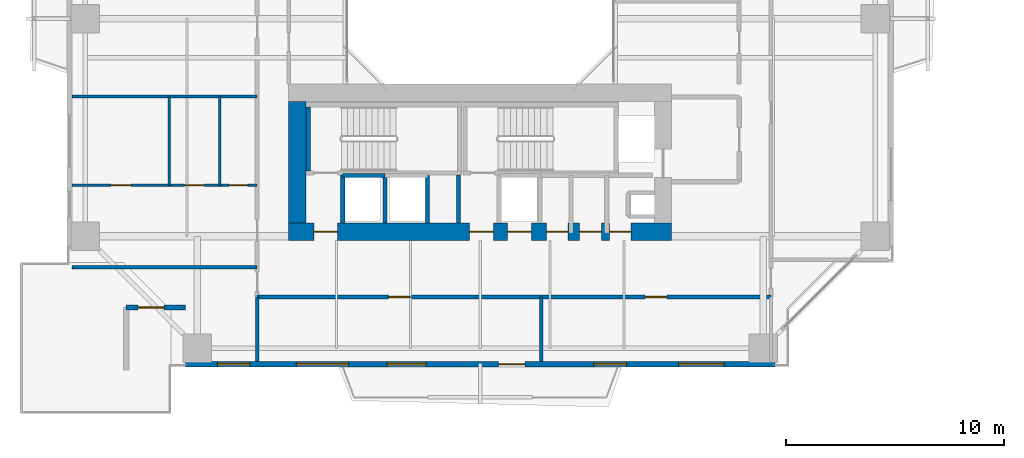
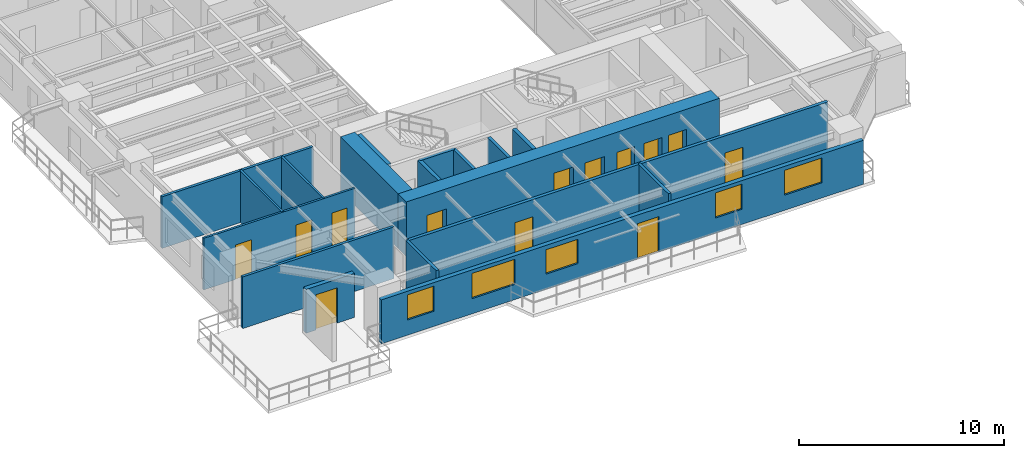
# One storey, part 12 of 24: 18 walls, 13 doors, 5 windows, 18 openings.
"""IFC4 building model written with IfcOpenShell, lengths in metres."""

from ifc_helpers import new_model, si_unit, direction, frame, frame_2d, origin, place, context, subcontext, project, spatial, rectangle, extrude, source, transform, mapped, material, layer, layer_set, type_object, element, fill, save


model = new_model("IFC4")

# Units and contexts
model_context = context("Model", 3, precision=1e-05, world=origin(), true_north=direction((0.0, 1.0)))
body_context = subcontext(model_context, "Body", "Model", "MODEL_VIEW")
ifc_project = project(units=[si_unit("LENGTHUNIT", "METRE"), si_unit("AREAUNIT", "SQUARE_METRE"), si_unit("VOLUMEUNIT", "CUBIC_METRE"), si_unit("PLANEANGLEUNIT", "RADIAN"), si_unit("MASSUNIT", "GRAM", prefix="KILO"), si_unit("THERMODYNAMICTEMPERATUREUNIT", "KELVIN"), si_unit("POWERUNIT", "WATT")], contexts=[model_context])

# Site, building, storey
site_placement = place(None, origin())
site = spatial("IfcSite", under=ifc_project, at=site_placement, CompositionType="ELEMENT")
building_placement = place(site_placement, origin())
building = spatial("IfcBuilding", under=site, at=building_placement, Name="Qiaomeng Ring Towers", CompositionType="ELEMENT")
storey_placement = place(building_placement, frame((0.0, 0.0, 63.25)))
storey = spatial("IfcBuildingStorey", under=building, at=storey_placement, Name="L17", CompositionType="ELEMENT", Elevation=63.25)

# Wall, openings, windows, door
ifc_material_1 = material(Name="Precast concrete C40", Category="concrete")
ifc_layer_1 = layer(ifc_material_1, 0.25, Name="Precast concrete C40")
ifc_layer_set_1 = layer_set([ifc_layer_1], Name="Precast concrete C40")
wall_type_1 = type_object("IfcWallType", Name="ARC-WL-EW1", PredefinedType="STANDARD", material=ifc_layer_set_1)
wall_1_placement = place(storey_placement, frame((5.449951171875, 4.125, 0.0), z_axis=(0.0, 0.0, 1.0), x_axis=(1.0, 0.0, 0.0)))
wall_1 = element("IfcWall", 1, at=wall_1_placement, inside=storey, type_object=wall_type_1, Name="L17 Tower 1 S Exterior Wall", PredefinedType="STANDARD", context=body_context, shape_type="SweptSolid", body=[
    extrude(rectangle(XDim=27.10009765625, YDim=0.25, at=frame_2d((13.550048828125, 0.0))), origin(), (0.0, 0.0, 1.0), 2.610107421875),
])
opening_1_placement = place(wall_1_placement, frame((14.39990234375, 0.0, 0.0)))
opening_1 = element("IfcOpeningElement", 2, at=opening_1_placement, cuts=wall_1, Name="Opening BD1", PredefinedType="OPENING", context=body_context, shape_type="SweptSolid", body=[
    extrude(rectangle(XDim=1.199951171875, YDim=2.10009765625, at=frame_2d((0.60009765625, 1.050048828125))), frame((0.0, 0.135009765625, 0.0), z_axis=(0.0, -1.0, 0.0), x_axis=(1.0, 0.0, 0.0)), (0.0, 0.0, 1.0), 0.27001953125),
])
opening_2_placement = place(wall_1_placement, frame((1.465087890625, 0.0, 0.89990234375)))
opening_2 = element("IfcOpeningElement", 3, at=opening_2_placement, cuts=wall_1, Name="Opening WN2", PredefinedType="OPENING", context=body_context, shape_type="SweptSolid", body=[
    extrude(rectangle(XDim=1.5, YDim=1.5, at=frame_2d((0.75, 0.75))), frame((0.0, 0.135009765625, 0.0), z_axis=(0.0, -1.0, 0.0), x_axis=(1.0, 0.0, 0.0)), (0.0, 0.0, 1.0), 0.27001953125),
])
opening_3_placement = place(wall_1_placement, frame((9.262939453125, 0.0, 0.89990234375)))
opening_3 = element("IfcOpeningElement", 4, at=opening_3_placement, cuts=wall_1, Name="Opening WN1", PredefinedType="OPENING", context=body_context, shape_type="SweptSolid", body=[
    extrude(rectangle(XDim=1.800048828125, YDim=1.449951171875, at=frame_2d((0.89990234375, 0.72509765625))), frame((0.0, 0.135009765625, 0.0), z_axis=(0.0, -1.0, 0.0), x_axis=(1.0, 0.0, 0.0)), (0.0, 0.0, 1.0), 0.27001953125),
])
opening_4_placement = place(wall_1_placement, frame((18.77392578125, 0.0, 0.89990234375)))
opening_4 = element("IfcOpeningElement", 5, at=opening_4_placement, cuts=wall_1, Name="Opening WN2", PredefinedType="OPENING", context=body_context, shape_type="SweptSolid", body=[
    extrude(rectangle(XDim=1.5, YDim=1.5, at=frame_2d((0.75, 0.75))), frame((0.0, 0.135009765625, 0.0), z_axis=(0.0, -1.0, 0.0), x_axis=(1.0, 0.0, 0.0)), (0.0, 0.0, 1.0), 0.27001953125),
])
opening_5_placement = place(wall_1_placement, frame((22.6630859375, 0.0, 0.89990234375)))
opening_5 = element("IfcOpeningElement", 6, at=opening_5_placement, cuts=wall_1, Name="Opening WN4", PredefinedType="OPENING", context=body_context, shape_type="SweptSolid", body=[
    extrude(rectangle(XDim=2.10009765625, YDim=1.47998046875, at=frame_2d((1.050048828125, 0.739990234375))), frame((0.0, 0.135009765625, 0.0), z_axis=(0.0, -1.0, 0.0), x_axis=(1.0, 0.0, 0.0)), (0.0, 0.0, 1.0), 0.27001953125),
])
opening_6_placement = place(wall_1_placement, frame((5.09912109375, 0.0, 0.89990234375)))
opening_6 = element("IfcOpeningElement", 7, at=opening_6_placement, cuts=wall_1, Name="Opening WN6", PredefinedType="OPENING", context=body_context, shape_type="SweptSolid", body=[
    extrude(rectangle(XDim=2.39990234375, YDim=1.5, at=frame_2d((1.199951171875, 0.75))), frame((0.0, 0.135009765625, 0.0), z_axis=(0.0, -1.0, 0.0), x_axis=(1.0, 0.0, 0.0)), (0.0, 0.0, 1.0), 0.27001953125),
])
ifc_material_2 = material(Name="Low-E dark-grey laminated double glazing", Category="glass")
window_type_1 = type_object("IfcWindowType", Name="ARC-WN-4", PartitioningType="TRIPLE_PANEL_VERTICAL", PredefinedType="WINDOW", material=ifc_material_2)
shared_shape_1 = source(origin(), body_context, "Body", "SweptSolid", [
    extrude(rectangle(XDim=2.10009765625, YDim=1.47998046875, at=frame_2d((1.050048828125, 0.739990234375))), frame((0.0, 0.030029296875, 0.0), z_axis=(0.0, -1.0, 0.0), x_axis=(1.0, 0.0, 0.0)), (0.0, 0.0, 1.0), 0.06005859375),
])
window_1_placement = place(opening_5_placement, origin())
window_1 = element("IfcWindow", 8, at=window_1_placement, inside=storey, type_object=window_type_1, Name="L17 Exterior Window WN4", OverallHeight=1.47998046875, OverallWidth=2.10009765625, PartitioningType="TRIPLE_PANEL_VERTICAL", PredefinedType="WINDOW", context=body_context, shape_type="MappedRepresentation", body=[
    mapped(shared_shape_1, transform((0.0, 0.0, 0.0), x_axis=(1.0, 0.0, 0.0), y_axis=(0.0, 1.0, 0.0), z_axis=(0.0, 0.0, 1.0), scale=1.0)),
])
fill(opening_5, window_1)
window_type_2 = type_object("IfcWindowType", Name="ARC-WN-1", PartitioningType="DOUBLE_PANEL_VERTICAL", PredefinedType="WINDOW", material=ifc_material_2)
shared_shape_2 = source(origin(), body_context, "Body", "SweptSolid", [
    extrude(rectangle(XDim=1.800048828125, YDim=1.449951171875, at=frame_2d((0.89990234375, 0.72509765625))), frame((0.0, 0.030029296875, 0.0), z_axis=(0.0, -1.0, 0.0), x_axis=(1.0, 0.0, 0.0)), (0.0, 0.0, 1.0), 0.06005859375),
])
window_2_placement = place(opening_3_placement, origin())
window_2 = element("IfcWindow", 9, at=window_2_placement, inside=storey, type_object=window_type_2, Name="L17 Exterior Window WN1", OverallHeight=1.449951171875, OverallWidth=1.800048828125, PartitioningType="DOUBLE_PANEL_VERTICAL", PredefinedType="WINDOW", context=body_context, shape_type="MappedRepresentation", body=[
    mapped(shared_shape_2, transform((0.0, 0.0, 0.0), x_axis=(1.0, 0.0, 0.0), y_axis=(0.0, 1.0, 0.0), z_axis=(0.0, 0.0, 1.0), scale=1.0)),
])
fill(opening_3, window_2)
door_type_1 = type_object("IfcDoorType", Name="ARC-DR-BD1", OperationType="NOTDEFINED", PredefinedType="DOOR", material=ifc_material_2)
shared_shape_3 = source(origin(), body_context, "Body", "SweptSolid", [
    extrude(rectangle(XDim=1.199951171875, YDim=2.10009765625, at=frame_2d((0.60009765625, 1.050048828125))), frame((0.0, 0.02490234375, 0.0), z_axis=(0.0, -1.0, 0.0), x_axis=(1.0, 0.0, 0.0)), (0.0, 0.0, 1.0), 0.050048828125),
])
door_1_placement = place(opening_1_placement, frame((1.199951171875, 0.0, 0.0), z_axis=(0.0, 0.0, 1.0), x_axis=(-1.0, 0.0, 0.0)))
door_1 = element("IfcDoor", 10, at=door_1_placement, inside=storey, type_object=door_type_1, Name="L17 S Balcony Glazed Door", OperationType="SINGLE_SWING_LEFT", OverallHeight=2.10009765625, OverallWidth=1.199951171875, PredefinedType="DOOR", context=body_context, shape_type="MappedRepresentation", body=[
    mapped(shared_shape_3, transform((0.0, 0.0, 0.0), x_axis=(1.0, 0.0, 0.0), y_axis=(0.0, 1.0, 0.0), z_axis=(0.0, 0.0, 1.0), scale=1.0)),
])
fill(opening_1, door_1)
window_type_3 = type_object("IfcWindowType", Name="ARC-WN-2", PartitioningType="DOUBLE_PANEL_VERTICAL", PredefinedType="WINDOW", material=ifc_material_2)
shared_shape_4 = source(origin(), body_context, "Body", "SweptSolid", [
    extrude(rectangle(XDim=1.5, YDim=1.5, at=frame_2d((0.75, 0.75))), frame((0.0, 0.030029296875, 0.0), z_axis=(0.0, -1.0, 0.0), x_axis=(1.0, 0.0, 0.0)), (0.0, 0.0, 1.0), 0.06005859375),
])
window_3_placement = place(opening_2_placement, origin())
window_3 = element("IfcWindow", 11, at=window_3_placement, inside=storey, type_object=window_type_3, Name="L17 Exterior Window WN6", OverallHeight=1.5, OverallWidth=1.5, PartitioningType="TRIPLE_PANEL_VERTICAL", PredefinedType="WINDOW", context=body_context, shape_type="MappedRepresentation", body=[
    mapped(shared_shape_4, transform((0.0, 0.0, 0.0), x_axis=(1.0, 0.0, 0.0), y_axis=(0.0, 1.0, 0.0), z_axis=(0.0, 0.0, 1.0), scale=1.0)),
])
fill(opening_2, window_3)
window_4_placement = place(opening_4_placement, origin())
window_4 = element("IfcWindow", 12, at=window_4_placement, inside=storey, type_object=window_type_3, Name="L17 Exterior Window WN2", OverallHeight=1.5, OverallWidth=1.5, PartitioningType="DOUBLE_PANEL_VERTICAL", PredefinedType="WINDOW", context=body_context, shape_type="MappedRepresentation", body=[
    mapped(shared_shape_4, transform((0.0, 0.0, 0.0), x_axis=(1.0, 0.0, 0.0), y_axis=(0.0, 1.0, 0.0), z_axis=(0.0, 0.0, 1.0), scale=1.0)),
])
fill(opening_4, window_4)
window_type_4 = type_object("IfcWindowType", Name="ARC-WN-6", PartitioningType="TRIPLE_PANEL_VERTICAL", PredefinedType="WINDOW", material=ifc_material_2)
shared_shape_5 = source(origin(), body_context, "Body", "SweptSolid", [
    extrude(rectangle(XDim=2.39990234375, YDim=1.5, at=frame_2d((1.199951171875, 0.75))), frame((0.0, 0.030029296875, 0.0), z_axis=(0.0, -1.0, 0.0), x_axis=(1.0, 0.0, 0.0)), (0.0, 0.0, 1.0), 0.06005859375),
])
window_5_placement = place(opening_6_placement, origin())
window_5 = element("IfcWindow", 13, at=window_5_placement, inside=storey, type_object=window_type_4, Name="L17 Exterior Window WN6", OverallHeight=1.5, OverallWidth=2.39990234375, PartitioningType="TRIPLE_PANEL_VERTICAL", PredefinedType="WINDOW", context=body_context, shape_type="MappedRepresentation", body=[
    mapped(shared_shape_5, transform((0.0, 0.0, 0.0), x_axis=(1.0, 0.0, 0.0), y_axis=(0.0, 1.0, 0.0), z_axis=(0.0, 0.0, 1.0), scale=1.0)),
])
fill(opening_6, window_5)

# Wall, opening, door
wall_2_placement = place(storey_placement, frame((2.72509765625, 6.72509765625, 0.0), z_axis=(0.0, 0.0, 1.0), x_axis=(1.0, 0.0, 0.0)))
wall_2 = element("IfcWall", 14, at=wall_2_placement, inside=storey, type_object=wall_type_1, Name="L17 Spiral Terrace Wall SW", PredefinedType="STANDARD", context=body_context, shape_type="SweptSolid", body=[
    extrude(rectangle(XDim=2.724853515625, YDim=0.25, at=frame_2d((1.3623046875, 0.0))), origin(), (0.0, 0.0, 1.0), 2.610107421875),
])
opening_7_placement = place(wall_2_placement, frame((0.550048828125, 0.0, 0.0)))
opening_7 = element("IfcOpeningElement", 15, at=opening_7_placement, cuts=wall_2, Name="Opening BD1", PredefinedType="OPENING", context=body_context, shape_type="SweptSolid", body=[
    extrude(rectangle(XDim=1.199951171875, YDim=2.10009765625, at=frame_2d((0.60009765625, 1.050048828125))), frame((0.0, 0.135009765625, 0.0), z_axis=(0.0, -1.0, 0.0), x_axis=(1.0, 0.0, 0.0)), (0.0, 0.0, 1.0), 0.27001953125),
])
door_2_placement = place(opening_7_placement, origin())
door_2 = element("IfcDoor", 16, at=door_2_placement, inside=storey, type_object=door_type_1, Name="L17 Spiral Sky Terrace Door SW", OperationType="SINGLE_SWING_LEFT", OverallHeight=2.10009765625, OverallWidth=1.199951171875, PredefinedType="DOOR", context=body_context, shape_type="MappedRepresentation", body=[
    mapped(shared_shape_3, transform((0.0, 0.0, 0.0), x_axis=(1.0, 0.0, 0.0), y_axis=(0.0, 1.0, 0.0), z_axis=(0.0, 0.0, 1.0), scale=1.0)),
])
fill(opening_7, door_2)

# Walls
ifc_material_3 = material(Name="Autoclaved aerated concrete block", Category="concrete")
ifc_layer_2 = layer(ifc_material_3, 0.199951171875, Name="Autoclaved aerated concrete block")
ifc_layer_set_2 = layer_set([ifc_layer_2], Name="Autoclaved aerated concrete block")
wall_type_2 = type_object("IfcWallType", Name="ARC-WL-PW1", PredefinedType="PARTITIONING", material=ifc_layer_set_2)
for number, where, z_axis, x_axis, name in (
    (17, (12.679931640625, 10.60009765625, 0.0), (0.0, 0.0, 1.0), (0.0, 1.0, 0.0), "L17 Interior Wall PW1"),
    (18, (18.0, 10.60009765625, 0.0), (0.0, 0.0, 1.0), (0.0, 1.0, 0.0), "L17 Interior Wall PW1"),
):
    element("IfcWall", number, at=place(storey_placement, frame(where, z_axis=z_axis, x_axis=x_axis)), inside=storey, type_object=wall_type_2, Name=name, PredefinedType="PARTITIONING", context=body_context, shape_type="SweptSolid", body=[
        extrude(rectangle(XDim=2.2099609375, YDim=0.199951171875, at=frame_2d((1.10498046875, 0.0))), origin(), (0.0, 0.0, 1.0), 3.070068359375),
    ])

# Wall, openings, doors
ifc_layer_3 = layer(ifc_material_3, 0.179931640625, Name="Autoclaved aerated concrete block")
ifc_layer_set_3 = layer_set([ifc_layer_3], Name="Autoclaved aerated concrete block")
wall_type_3 = type_object("IfcWallType", Name="ARC-WL-PW2", PredefinedType="PARTITIONING", material=ifc_layer_set_3)
wall_3_placement = place(storey_placement, frame((8.75, 7.2099609375, 0.0), z_axis=(0.0, 0.0, 1.0), x_axis=(1.0, 0.0, 0.0)))
wall_3 = element("IfcWall", 19, at=wall_3_placement, inside=storey, type_object=wall_type_3, Name="L17 Interior Wall PW2", PredefinedType="PARTITIONING", context=body_context, shape_type="SweptSolid", body=[
    extrude(rectangle(XDim=23.610107421875, YDim=0.179931640625, at=frame_2d((11.80517578125, 0.0))), origin(), (0.0, 0.0, 1.0), 3.070068359375),
])
opening_8_placement = place(wall_3_placement, frame((6.02490234375, 0.0, 0.0)))
opening_8 = element("IfcOpeningElement", 20, at=opening_8_placement, cuts=wall_3, Name="Opening FD4", PredefinedType="OPENING", context=body_context, shape_type="SweptSolid", body=[
    extrude(rectangle(XDim=1.0, YDim=2.050048828125, at=frame_2d((0.5, 1.02490234375))), frame((0.0, 0.099853515625, 0.0), z_axis=(0.0, -1.0, 0.0), x_axis=(1.0, 0.0, 0.0)), (0.0, 0.0, 1.0), 0.199951171875),
])
opening_9_placement = place(wall_3_placement, frame((17.830078125, 0.0, 0.0)))
opening_9 = element("IfcOpeningElement", 21, at=opening_9_placement, cuts=wall_3, Name="Opening FD4", PredefinedType="OPENING", context=body_context, shape_type="SweptSolid", body=[
    extrude(rectangle(XDim=1.0, YDim=2.050048828125, at=frame_2d((0.5, 1.02490234375))), frame((0.0, 0.099853515625, 0.0), z_axis=(0.0, -1.0, 0.0), x_axis=(1.0, 0.0, 0.0)), (0.0, 0.0, 1.0), 0.199951171875),
])
ifc_material_4 = material(Name="Engineered fire-rated oak timber", Category="wood")
door_type_2 = type_object("IfcDoorType", Name="ARC-DR-FD4", OperationType="NOTDEFINED", PredefinedType="DOOR", material=ifc_material_4)
shared_shape_6 = source(origin(), body_context, "Body", "SweptSolid", [
    extrude(rectangle(XDim=1.0, YDim=2.050048828125, at=frame_2d((0.5, 1.02490234375))), frame((0.0, 0.02490234375, 0.0), z_axis=(0.0, -1.0, 0.0), x_axis=(1.0, 0.0, 0.0)), (0.0, 0.0, 1.0), 0.050048828125),
])
door_3_placement = place(opening_8_placement, origin())
door_3 = element("IfcDoor", 22, at=door_3_placement, inside=storey, type_object=door_type_2, Name="L17 Door FD4", OperationType="SINGLE_SWING_LEFT", OverallHeight=2.050048828125, OverallWidth=1.0, PredefinedType="DOOR", context=body_context, shape_type="MappedRepresentation", body=[
    mapped(shared_shape_6, transform((0.0, 0.0, 0.0), x_axis=(1.0, 0.0, 0.0), y_axis=(0.0, 1.0, 0.0), z_axis=(0.0, 0.0, 1.0), scale=1.0)),
])
fill(opening_8, door_3)
door_4_placement = place(opening_9_placement, origin())
door_4 = element("IfcDoor", 23, at=door_4_placement, inside=storey, type_object=door_type_2, Name="L17 Door FD4", OperationType="SINGLE_SWING_RIGHT", OverallHeight=2.050048828125, OverallWidth=1.0, PredefinedType="DOOR", context=body_context, shape_type="MappedRepresentation", body=[
    mapped(shared_shape_6, transform((0.0, 0.0, 0.0), x_axis=(1.0, 0.0, 0.0), y_axis=(0.0, 1.0, 0.0), z_axis=(0.0, 0.0, 1.0), scale=1.0)),
])
fill(opening_9, door_4)

# Walls
ifc_material_5 = material(Name="Gypsum fireboard steel-stud partition", Category="steel")
ifc_layer_4 = layer(ifc_material_5, 0.14990234375, Name="Gypsum fireboard steel-stud partition")
ifc_layer_set_4 = layer_set([ifc_layer_4], Name="Gypsum fireboard steel-stud partition")
wall_type_4 = type_object("IfcWallType", Name="ARC-WL-PW3", PredefinedType="PARTITIONING", material=ifc_layer_set_4)
for number, where, z_axis, x_axis, name in (
    (24, (21.800048828125, 4.25, 0.0), (0.0, 0.0, 1.0), (0.0, 1.0, 0.0), "L17 Interior Wall PW3"),
    (25, (8.75, 4.25, 0.0), (0.0, 0.0, 1.0), (0.0, 1.0, 0.0), "L17 Interior Wall PW3"),
):
    element("IfcWall", number, at=place(storey_placement, frame(where, z_axis=z_axis, x_axis=x_axis)), inside=storey, type_object=wall_type_4, Name=name, PredefinedType="PARTITIONING", context=body_context, shape_type="SweptSolid", body=[
        extrude(rectangle(XDim=2.9599609375, YDim=0.14990234375, at=frame_2d((1.47998046875, 0.0))), origin(), (0.0, 0.0, 1.0), 3.070068359375),
    ])
for number, where, z_axis, x_axis, name in (
    (26, (0.25, 8.570068359375, 0.0), (0.0, 0.0, 1.0), (1.0, 0.0, 0.0), "L17 Interior Wall PW3"),
    (27, (0.25, 16.419921875, 0.0), (0.0, 0.0, 1.0), (1.0, 0.0, 0.0), "L17 Interior Wall PW3"),
):
    element("IfcWall", number, at=place(storey_placement, frame(where, z_axis=z_axis, x_axis=x_axis)), inside=storey, type_object=wall_type_4, Name=name, PredefinedType="PARTITIONING", context=body_context, shape_type="SweptSolid", body=[
        extrude(rectangle(XDim=8.5, YDim=0.14990234375, at=frame_2d((4.25, 0.0))), origin(), (0.0, 0.0, 1.0), 3.070068359375),
    ])

# Wall, openings, doors
ifc_material_6 = material(Name="Moisture-resistant gypsum steel-stud partition", Category="steel")
ifc_layer_5 = layer(ifc_material_6, 0.1201171875, Name="Moisture-resistant gypsum steel-stud partition")
ifc_layer_set_5 = layer_set([ifc_layer_5], Name="Moisture-resistant gypsum steel-stud partition")
wall_type_5 = type_object("IfcWallType", Name="ARC-WL-PW4", PredefinedType="PLUMBINGWALL", material=ifc_layer_set_5)
wall_4_placement = place(storey_placement, frame((0.25, 12.340087890625, 0.0), z_axis=(0.0, 0.0, 1.0), x_axis=(1.0, 0.0, 0.0)))
wall_4 = element("IfcWall", 28, at=wall_4_placement, inside=storey, type_object=wall_type_5, Name="L17 Interior Wall PW4", PredefinedType="PLUMBINGWALL", context=body_context, shape_type="SweptSolid", body=[
    extrude(rectangle(XDim=8.5, YDim=0.1201171875, at=frame_2d((4.25, 0.0))), origin(), (0.0, 0.0, 1.0), 3.070068359375),
])
opening_10_placement = place(wall_4_placement, frame((1.7900390625, 0.0, 0.0)))
opening_10 = element("IfcOpeningElement", 29, at=opening_10_placement, cuts=wall_4, Name="Opening ID1", PredefinedType="OPENING", context=body_context, shape_type="SweptSolid", body=[
    extrude(rectangle(XDim=0.89990234375, YDim=2.050048828125, at=frame_2d((0.449951171875, 1.02490234375))), frame((0.0, 0.070068359375, 0.0), z_axis=(0.0, -1.0, 0.0), x_axis=(1.0, 0.0, 0.0)), (0.0, 0.0, 1.0), 0.14013671875),
])
opening_11_placement = place(wall_4_placement, frame((5.169921875, 0.0, 0.0)))
opening_11 = element("IfcOpeningElement", 30, at=opening_11_placement, cuts=wall_4, Name="Opening ID1", PredefinedType="OPENING", context=body_context, shape_type="SweptSolid", body=[
    extrude(rectangle(XDim=0.89990234375, YDim=2.050048828125, at=frame_2d((0.449951171875, 1.02490234375))), frame((0.0, 0.070068359375, 0.0), z_axis=(0.0, -1.0, 0.0), x_axis=(1.0, 0.0, 0.0)), (0.0, 0.0, 1.0), 0.14013671875),
])
opening_12_placement = place(wall_4_placement, frame((7.205078125, 0.0, 0.0)))
opening_12 = element("IfcOpeningElement", 31, at=opening_12_placement, cuts=wall_4, Name="Opening ID2", PredefinedType="OPENING", context=body_context, shape_type="SweptSolid", body=[
    extrude(rectangle(XDim=0.85009765625, YDim=2.050048828125, at=frame_2d((0.425048828125, 1.02490234375))), frame((0.0, 0.070068359375, 0.0), z_axis=(0.0, -1.0, 0.0), x_axis=(1.0, 0.0, 0.0)), (0.0, 0.0, 1.0), 0.14013671875),
])
ifc_material_7 = material(Name="Moisture-resistant engineered timber", Category="wood")
door_type_3 = type_object("IfcDoorType", Name="ARC-DR-ID2", OperationType="NOTDEFINED", PredefinedType="DOOR", material=ifc_material_7)
shared_shape_7 = source(origin(), body_context, "Body", "SweptSolid", [
    extrude(rectangle(XDim=0.85009765625, YDim=2.050048828125, at=frame_2d((0.425048828125, 1.02490234375))), frame((0.0, 0.02490234375, 0.0), z_axis=(0.0, -1.0, 0.0), x_axis=(1.0, 0.0, 0.0)), (0.0, 0.0, 1.0), 0.050048828125),
])
door_5_placement = place(opening_12_placement, origin())
door_5 = element("IfcDoor", 32, at=door_5_placement, inside=storey, type_object=door_type_3, Name="L17 Door ID2", OperationType="SINGLE_SWING_LEFT", OverallHeight=2.050048828125, OverallWidth=0.85009765625, PredefinedType="DOOR", context=body_context, shape_type="MappedRepresentation", body=[
    mapped(shared_shape_7, transform((0.0, 0.0, 0.0), x_axis=(1.0, 0.0, 0.0), y_axis=(0.0, 1.0, 0.0), z_axis=(0.0, 0.0, 1.0), scale=1.0)),
])
fill(opening_12, door_5)
ifc_material_8 = material(Name="Engineered oak timber", Category="wood")
door_type_4 = type_object("IfcDoorType", Name="ARC-DR-ID1", OperationType="NOTDEFINED", PredefinedType="DOOR", material=ifc_material_8)
shared_shape_8 = source(origin(), body_context, "Body", "SweptSolid", [
    extrude(rectangle(XDim=0.89990234375, YDim=2.050048828125, at=frame_2d((0.449951171875, 1.02490234375))), frame((0.0, 0.02490234375, 0.0), z_axis=(0.0, -1.0, 0.0), x_axis=(1.0, 0.0, 0.0)), (0.0, 0.0, 1.0), 0.050048828125),
])
door_6_placement = place(opening_10_placement, origin())
door_6 = element("IfcDoor", 33, at=door_6_placement, inside=storey, type_object=door_type_4, Name="L17 Door ID1", OperationType="SINGLE_SWING_LEFT", OverallHeight=2.050048828125, OverallWidth=0.89990234375, PredefinedType="DOOR", context=body_context, shape_type="MappedRepresentation", body=[
    mapped(shared_shape_8, transform((0.0, 0.0, 0.0), x_axis=(1.0, 0.0, 0.0), y_axis=(0.0, 1.0, 0.0), z_axis=(0.0, 0.0, 1.0), scale=1.0)),
])
fill(opening_10, door_6)
door_7_placement = place(opening_11_placement, origin())
door_7 = element("IfcDoor", 34, at=door_7_placement, inside=storey, type_object=door_type_4, Name="L17 Door ID1", OperationType="SINGLE_SWING_RIGHT", OverallHeight=2.050048828125, OverallWidth=0.89990234375, PredefinedType="DOOR", context=body_context, shape_type="MappedRepresentation", body=[
    mapped(shared_shape_8, transform((0.0, 0.0, 0.0), x_axis=(1.0, 0.0, 0.0), y_axis=(0.0, 1.0, 0.0), z_axis=(0.0, 0.0, 1.0), scale=1.0)),
])
fill(opening_11, door_7)

# Walls
for number, where, z_axis, x_axis, name in (
    (35, (4.7099609375, 12.340087890625, 0.0), (0.0, 0.0, 1.0), (0.0, 1.0, 0.0), "L17 Interior Wall PW4"),
    (36, (7.030029296875, 12.340087890625, 0.0), (0.0, 0.0, 1.0), (0.0, 1.0, 0.0), "L17 Interior Wall PW4"),
):
    element("IfcWall", number, at=place(storey_placement, frame(where, z_axis=z_axis, x_axis=x_axis)), inside=storey, type_object=wall_type_5, Name=name, PredefinedType="PLUMBINGWALL", context=body_context, shape_type="SweptSolid", body=[
        extrude(rectangle(XDim=4.079833984375, YDim=0.1201171875, at=frame_2d((2.0400390625, 0.0))), origin(), (0.0, 0.0, 1.0), 3.070068359375),
    ])
ifc_material_9 = material(Name="Concrete C40", Category="concrete")
ifc_layer_6 = layer(ifc_material_9, 0.199951171875, Name="Concrete C40")
ifc_layer_set_6 = layer_set([ifc_layer_6], Name="Concrete C40")
wall_type_6 = type_object("IfcWallType", Name="STR-WL-STSHAFT", PredefinedType="SHEAR", material=ifc_layer_set_6)
wall_5_placement = place(storey_placement, frame((12.679931640625, 12.800048828125, 0.0), z_axis=(0.0, 0.0, 1.0), x_axis=(1.0, 0.0, 0.0)))
element("IfcWall", 37, at=wall_5_placement, inside=storey, type_object=wall_type_6, Name="L17 Lift LP6 Shaft Back Wall", PredefinedType="SHEAR", context=body_context, shape_type="SweptSolid", body=[
    extrude(rectangle(XDim=1.940185546875, YDim=0.179931640625, at=frame_2d((0.97021484375, 0.0))), origin(), (0.0, 0.0, 1.0), 3.070068359375),
])
for number, where, z_axis, x_axis, name in (
    (38, (14.6201171875, 10.60009765625, 0.0), (0.0, 0.0, 1.0), (0.0, 1.0, 0.0), "L17 Lift LP6-LP4 Shaft Divider Wall"),
    (39, (16.580078125, 10.60009765625, 0.0), (0.0, 0.0, 1.0), (0.0, 1.0, 0.0), "L17 Lift LP4 East Shaft Wall"),
):
    element("IfcWall", number, at=place(storey_placement, frame(where, z_axis=z_axis, x_axis=x_axis)), inside=storey, type_object=wall_type_6, Name=name, PredefinedType="SHEAR", context=body_context, shape_type="SweptSolid", body=[
        extrude(rectangle(XDim=2.199951171875, YDim=0.179931640625, at=frame_2d((1.10009765625, 0.0))), origin(), (0.0, 0.0, 1.0), 3.070068359375),
    ])
wall_6_placement = place(storey_placement, frame((11.10009765625, 13.010009765625, 0.0), z_axis=(0.0, 0.0, 1.0), x_axis=(0.0, 1.0, 0.0)))
element("IfcWall", 40, at=wall_6_placement, inside=storey, type_object=wall_type_6, Name="L17 Stair ST3 West Shaft Shear Wall", PredefinedType="SHEAR", context=body_context, shape_type="SweptSolid", body=[
    extrude(rectangle(XDim=2.93994140625, YDim=0.199951171875, at=frame_2d((1.469970703125, 0.0))), origin(), (0.0, 0.0, 1.0), 3.25),
])

# Wall, openings, doors
ifc_material_10 = material(Name="Concrete C60", Category="concrete")
ifc_layer_7 = layer(ifc_material_10, 0.800048828125, Name="Concrete C60")
ifc_layer_set_7 = layer_set([ifc_layer_7], Name="Concrete C60")
wall_type_7 = type_object("IfcWallType", Name="STR-WL-SW1", PredefinedType="SHEAR", material=ifc_layer_set_7)
wall_7_placement = place(storey_placement, frame((10.199951171875, 10.199951171875, 0.0), z_axis=(0.0, 0.0, 1.0), x_axis=(1.0, 0.0, 0.0)))
wall_7 = element("IfcWall", 41, at=wall_7_placement, inside=storey, type_object=wall_type_7, Name="L17 T1SC south core shear wall", PredefinedType="SHEAR", context=body_context, shape_type="SweptSolid", body=[
    extrude(rectangle(XDim=17.60009765625, YDim=0.800048828125, at=frame_2d((8.800048828125, 0.0))), origin(), (0.0, 0.0, 1.0), 3.25),
])
opening_13_placement = place(wall_7_placement, frame((1.14990234375, 0.0, 0.0)))
opening_13 = element("IfcOpeningElement", 42, at=opening_13_placement, cuts=wall_7, Name="Opening FD3", PredefinedType="OPENING", context=body_context, shape_type="SweptSolid", body=[
    extrude(rectangle(XDim=1.10009765625, YDim=2.050048828125, at=frame_2d((0.550048828125, 1.02490234375))), frame((0.0, 0.409912109375, 0.0), z_axis=(0.0, -1.0, 0.0), x_axis=(1.0, 0.0, 0.0)), (0.0, 0.0, 1.0), 0.820068359375),
])
opening_14_placement = place(wall_7_placement, frame((8.300048828125, 0.0, 0.0)))
opening_14 = element("IfcOpeningElement", 43, at=opening_14_placement, cuts=wall_7, Name="Opening FD3", PredefinedType="OPENING", context=body_context, shape_type="SweptSolid", body=[
    extrude(rectangle(XDim=1.10009765625, YDim=2.050048828125, at=frame_2d((0.550048828125, 1.02490234375))), frame((0.0, 0.409912109375, 0.0), z_axis=(0.0, -1.0, 0.0), x_axis=(1.0, 0.0, 0.0)), (0.0, 0.0, 1.0), 0.820068359375),
])
opening_15_placement = place(wall_7_placement, frame((10.050048828125, 0.0, 0.0)))
opening_15 = element("IfcOpeningElement", 44, at=opening_15_placement, cuts=wall_7, Name="Opening LD1", PredefinedType="OPENING", context=body_context, shape_type="SweptSolid", body=[
    extrude(rectangle(XDim=1.10009765625, YDim=2.050048828125, at=frame_2d((0.550048828125, 1.02490234375))), frame((0.0, 0.409912109375, 0.0), z_axis=(0.0, -1.0, 0.0), x_axis=(1.0, 0.0, 0.0)), (0.0, 0.0, 1.0), 0.820068359375),
])
opening_16_placement = place(wall_7_placement, frame((14.739990234375, 0.0, 0.0)))
opening_16 = element("IfcOpeningElement", 45, at=opening_16_placement, cuts=wall_7, Name="Opening FD1", PredefinedType="OPENING", context=body_context, shape_type="SweptSolid", body=[
    extrude(rectangle(XDim=1.0, YDim=2.050048828125, at=frame_2d((0.5, 1.02490234375))), frame((0.0, 0.409912109375, 0.0), z_axis=(0.0, -1.0, 0.0), x_axis=(1.0, 0.0, 0.0)), (0.0, 0.0, 1.0), 0.820068359375),
])
opening_17_placement = place(wall_7_placement, frame((11.8349609375, 0.0, 0.0)))
opening_17 = element("IfcOpeningElement", 46, at=opening_17_placement, cuts=wall_7, Name="Opening FD1", PredefinedType="OPENING", context=body_context, shape_type="SweptSolid", body=[
    extrude(rectangle(XDim=1.0, YDim=2.050048828125, at=frame_2d((0.5, 1.02490234375))), frame((0.0, 0.409912109375, 0.0), z_axis=(0.0, -1.0, 0.0), x_axis=(1.0, 0.0, 0.0)), (0.0, 0.0, 1.0), 0.820068359375),
])
opening_18_placement = place(wall_7_placement, frame((13.3701171875, 0.0, 0.0)))
opening_18 = element("IfcOpeningElement", 47, at=opening_18_placement, cuts=wall_7, Name="Opening FD1", PredefinedType="OPENING", context=body_context, shape_type="SweptSolid", body=[
    extrude(rectangle(XDim=1.0, YDim=2.050048828125, at=frame_2d((0.5, 1.02490234375))), frame((0.0, 0.409912109375, 0.0), z_axis=(0.0, -1.0, 0.0), x_axis=(1.0, 0.0, 0.0)), (0.0, 0.0, 1.0), 0.820068359375),
])
ifc_material_11 = material(Name="Galvanised steel", Category="steel")
door_type_5 = type_object("IfcDoorType", Name="ARC-DR-FD3", OperationType="NOTDEFINED", PredefinedType="DOOR", material=ifc_material_11)
shared_shape_9 = source(origin(), body_context, "Body", "SweptSolid", [
    extrude(rectangle(XDim=1.10009765625, YDim=2.050048828125, at=frame_2d((0.550048828125, 1.02490234375))), frame((0.0, 0.02490234375, 0.0), z_axis=(0.0, -1.0, 0.0), x_axis=(1.0, 0.0, 0.0)), (0.0, 0.0, 1.0), 0.050048828125),
])
door_8_placement = place(opening_13_placement, origin())
door_8 = element("IfcDoor", 48, at=door_8_placement, inside=storey, type_object=door_type_5, Name="L17 Stair ST3 Lobby Door", OperationType="SINGLE_SWING_LEFT", OverallHeight=2.050048828125, OverallWidth=1.10009765625, PredefinedType="DOOR", context=body_context, shape_type="MappedRepresentation", body=[
    mapped(shared_shape_9, transform((0.0, 0.0, 0.0), x_axis=(1.0, 0.0, 0.0), y_axis=(0.0, 1.0, 0.0), z_axis=(0.0, 0.0, 1.0), scale=1.0)),
])
fill(opening_13, door_8)
door_9_placement = place(opening_14_placement, origin())
door_9 = element("IfcDoor", 49, at=door_9_placement, inside=storey, type_object=door_type_5, Name="L17 Stair ST4 Lobby Door", OperationType="SINGLE_SWING_LEFT", OverallHeight=2.050048828125, OverallWidth=1.10009765625, PredefinedType="DOOR", context=body_context, shape_type="MappedRepresentation", body=[
    mapped(shared_shape_9, transform((0.0, 0.0, 0.0), x_axis=(1.0, 0.0, 0.0), y_axis=(0.0, 1.0, 0.0), z_axis=(0.0, 0.0, 1.0), scale=1.0)),
])
fill(opening_14, door_9)
ifc_material_12 = material(Name="Stainless steel 316", Category="steel")
door_type_6 = type_object("IfcDoorType", Name="ARC-DR-LD1", OperationType="NOTDEFINED", PredefinedType="DOOR", material=ifc_material_12)
door_10_placement = place(opening_15_placement, origin())
door_10 = element("IfcDoor", 50, at=door_10_placement, inside=storey, type_object=door_type_6, Name="L17 Low-Zone Lift LP2 Landing Door", OperationType="SLIDING_TO_RIGHT", OverallHeight=2.050048828125, OverallWidth=1.10009765625, PredefinedType="DOOR", context=body_context, shape_type="MappedRepresentation", body=[
    mapped(shared_shape_9, transform((0.0, 0.0, 0.0), x_axis=(1.0, 0.0, 0.0), y_axis=(0.0, 1.0, 0.0), z_axis=(0.0, 0.0, 1.0), scale=1.0)),
])
fill(opening_15, door_10)
door_type_7 = type_object("IfcDoorType", Name="ARC-DR-FD1", OperationType="NOTDEFINED", PredefinedType="DOOR", material=ifc_material_11)
door_11_placement = place(opening_16_placement, origin())
door_11 = element("IfcDoor", 51, at=door_11_placement, inside=storey, type_object=door_type_7, Name="L17 South Electrical Riser Door", OperationType="SINGLE_SWING_RIGHT", OverallHeight=2.050048828125, OverallWidth=1.0, PredefinedType="DOOR", context=body_context, shape_type="MappedRepresentation", body=[
    mapped(shared_shape_6, transform((0.0, 0.0, 0.0), x_axis=(1.0, 0.0, 0.0), y_axis=(0.0, 1.0, 0.0), z_axis=(0.0, 0.0, 1.0), scale=1.0)),
])
fill(opening_16, door_11)
door_12_placement = place(opening_17_placement, origin())
door_12 = element("IfcDoor", 52, at=door_12_placement, inside=storey, type_object=door_type_7, Name="L17 South Cleaners Cupboard Door", OperationType="SINGLE_SWING_LEFT", OverallHeight=2.050048828125, OverallWidth=1.0, PredefinedType="DOOR", context=body_context, shape_type="MappedRepresentation", body=[
    mapped(shared_shape_6, transform((0.0, 0.0, 0.0), x_axis=(1.0, 0.0, 0.0), y_axis=(0.0, 1.0, 0.0), z_axis=(0.0, 0.0, 1.0), scale=1.0)),
])
fill(opening_17, door_12)
door_13_placement = place(opening_18_placement, origin())
door_13 = element("IfcDoor", 53, at=door_13_placement, inside=storey, type_object=door_type_7, Name="L17 South Tea Pantry Door", OperationType="SINGLE_SWING_RIGHT", OverallHeight=2.050048828125, OverallWidth=1.0, PredefinedType="DOOR", context=body_context, shape_type="MappedRepresentation", body=[
    mapped(shared_shape_6, transform((0.0, 0.0, 0.0), x_axis=(1.0, 0.0, 0.0), y_axis=(0.0, 1.0, 0.0), z_axis=(0.0, 0.0, 1.0), scale=1.0)),
])
fill(opening_18, door_13)

# Wall
wall_8_placement = place(storey_placement, frame((10.60009765625, 10.60009765625, 0.0), z_axis=(0.0, 0.0, 1.0), x_axis=(0.0, 1.0, 0.0)))
element("IfcWall", 54, at=wall_8_placement, inside=storey, type_object=wall_type_7, Name="L17 T1SC west core shear wall", PredefinedType="SHEAR", context=body_context, shape_type="SweptSolid", body=[
    extrude(rectangle(XDim=5.599853515625, YDim=0.800048828125, at=frame_2d((2.7998046875, 0.0))), origin(), (0.0, 0.0, 1.0), 3.25),
])

save(model, "model.ifc")
